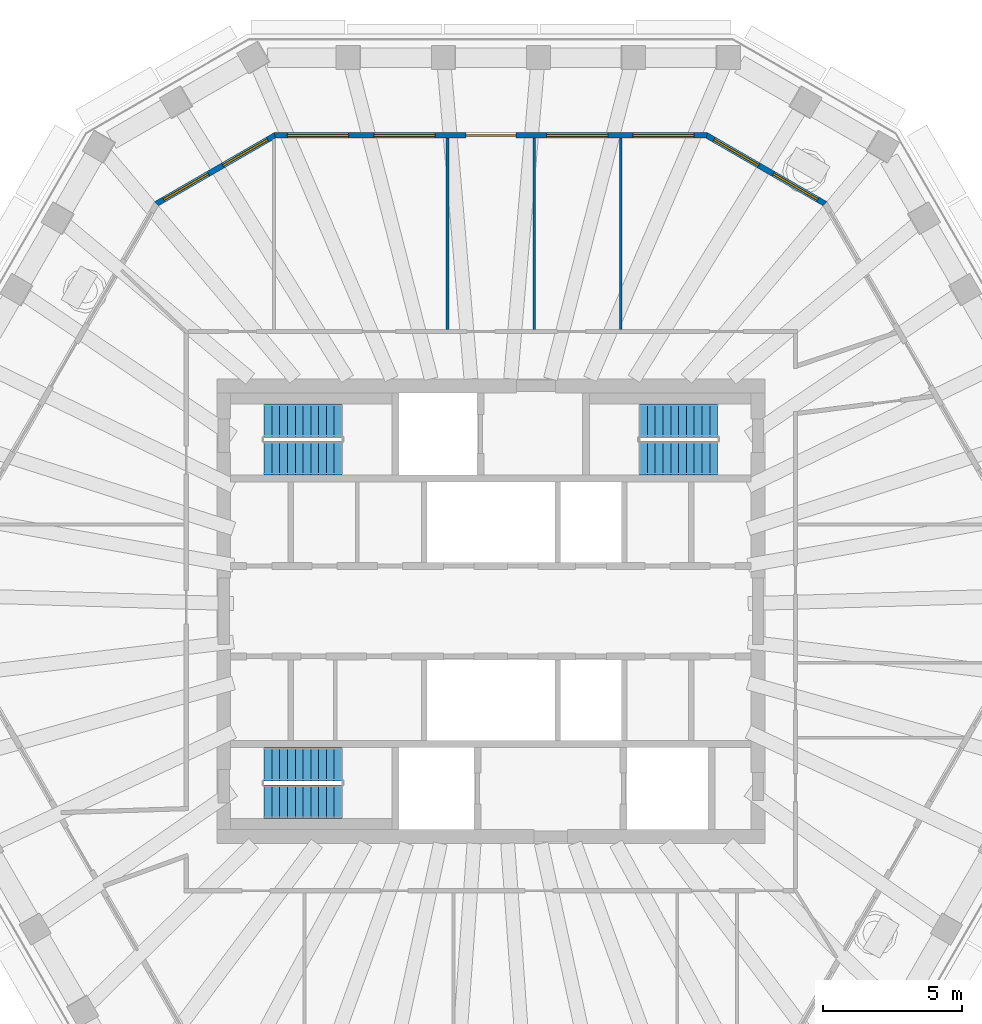
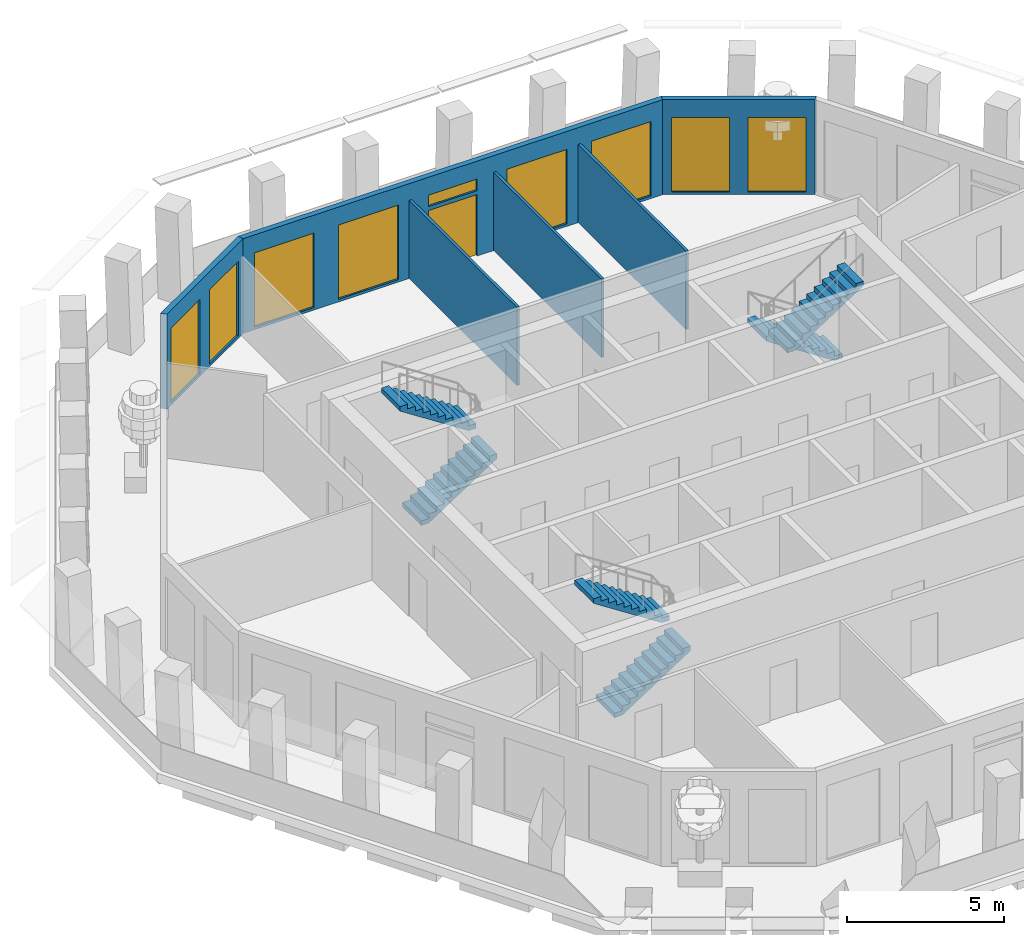
# One storey, part 7 of 11: 9 windows, 6 stair flights, 6 walls, 1 door, 10 openings, 3 elements without a shape of their own.
"""IFC4 building model written with IfcOpenShell, lengths in metres."""

from ifc_helpers import new_model, si_unit, direction, frame, frame_2d, origin, place, context, subcontext, project, spatial, polyline, rectangle, outline, extrude, material, layer, layer_set, type_object, element, fill, aggregate, save


model = new_model("IFC4")

# Units and contexts
model_context = context("Model", 3, precision=1e-05, world=origin(), true_north=direction((0.0, 1.0)))
body_context = subcontext(model_context, "Body", "Model", "MODEL_VIEW")
ifc_project = project(units=[si_unit("LENGTHUNIT", "METRE"), si_unit("AREAUNIT", "SQUARE_METRE"), si_unit("VOLUMEUNIT", "CUBIC_METRE"), si_unit("PLANEANGLEUNIT", "RADIAN"), si_unit("MASSUNIT", "GRAM", prefix="KILO")], contexts=[model_context])

# Site, building, storey
site_placement = place(None, origin())
site = spatial("IfcSite", under=ifc_project, at=site_placement, CompositionType="ELEMENT")
building_placement = place(site_placement, origin())
building = spatial("IfcBuilding", under=site, at=building_placement, Name="Frailejon Research Tower", CompositionType="ELEMENT")
storey_placement = place(building_placement, frame((0.0, 0.0, 328.60009765625)))
storey = spatial("IfcBuildingStorey", under=building, at=storey_placement, Name="L73", CompositionType="ELEMENT", Elevation=328.60009765625)

# Walls
ifc_material_1 = material(Name="Gypsum board and masonry partition", Category="masonry")
ifc_layer_1 = layer(ifc_material_1, 0.10009765625)
ifc_layer_set_1 = layer_set([ifc_layer_1], Name="Partition, gypsum on steel studs 100")
wall_type_1 = type_object("IfcWallType", Name="Partition, gypsum on steel studs 100", PredefinedType="PARTITIONING", material=ifc_layer_set_1)
for number, where, z_axis, x_axis, name in (
    (1, (4.673583984375, 10.125, 0.0), (0.0, 0.0, 1.0), (0.0, 1.0, 0.0), "T:IW:L73:014"),
    (2, (1.557861328125, 10.125, 0.0), (0.0, 0.0, 1.0), (0.0, 1.0, 0.0), "T:IW:L73:015"),
    (3, (-1.557861328125, 10.125, 0.0), (0.0, 0.0, 1.0), (0.0, 1.0, 0.0), "T:IW:L73:016"),
):
    element("IfcWall", number, at=place(storey_placement, frame(where, z_axis=z_axis, x_axis=x_axis)), inside=storey, type_object=wall_type_1, Name=name, PredefinedType="PARTITIONING", context=body_context, shape_type="SweptSolid", body=[
        extrude(rectangle(XDim=6.875, YDim=0.10009765625, at=frame_2d((3.4375, 0.0))), origin(), (0.0, 0.0, 1.0), 3.0498046875),
    ])

# Wall, openings, windows
ifc_material_2 = material(Name="Concrete C40/50 precast window wall panel", Category="concrete")
ifc_layer_2 = layer(ifc_material_2, 0.199951171875)
ifc_layer_set_2 = layer_set([ifc_layer_2], Name="Window wall 200")
wall_type_2 = type_object("IfcWallType", Name="Window wall 200", PredefinedType="SOLIDWALL", material=ifc_layer_set_2)
wall_1_placement = place(storey_placement, frame((12.016357421875, 14.644287109375, 0.0), z_axis=(0.0, 0.0, 1.0), x_axis=(-0.866029143232, 0.499993523031, 0.0)))
wall_1 = element("IfcWall", 4, at=wall_1_placement, inside=storey, type_object=wall_type_2, Name="Exterior wall L73", PredefinedType="SOLIDWALL", context=body_context, shape_type="SweptSolid", body=[
    extrude(outline(polyline([(-0.02685546875, -0.10009765625), (1.21435546875, -0.10009765625), (2.455810546875, -0.10009765625), (3.697265625, -0.10009765625), (4.9384765625, -0.10009765625), (4.884765625, 0.10009765625), (3.67041015625, 0.10009765625), (2.455810546875, 0.10009765625), (1.2412109375, 0.10009765625), (0.02685546875, 0.10009765625), (-0.02685546875, -0.10009765625)])), origin(), (0.0, 0.0, 1.0), 3.699951171875),
])
opening_1_placement = place(wall_1_placement, frame((0.302978515625, 0.0, 0.10009765625)))
opening_1 = element("IfcOpeningElement", 5, at=opening_1_placement, cuts=wall_1, Name="Opening W26", PredefinedType="OPENING", context=body_context, shape_type="SweptSolid", body=[
    extrude(rectangle(XDim=1.85009765625, YDim=2.89990234375, at=frame_2d((0.925048828125, 1.449951171875))), frame((0.0, 0.10986328125, 0.0), z_axis=(0.0, -1.0, 0.0), x_axis=(1.0, 0.0, 0.0)), (0.0, 0.0, 1.0), 0.219970703125),
])
opening_2_placement = place(wall_1_placement, frame((2.7587890625, 0.0, 0.10009765625)))
opening_2 = element("IfcOpeningElement", 6, at=opening_2_placement, cuts=wall_1, Name="Opening W26", PredefinedType="OPENING", context=body_context, shape_type="SweptSolid", body=[
    extrude(rectangle(XDim=1.85009765625, YDim=2.89990234375, at=frame_2d((0.925048828125, 1.449951171875))), frame((0.0, 0.10986328125, 0.0), z_axis=(0.0, -1.0, 0.0), x_axis=(1.0, 0.0, 0.0)), (0.0, 0.0, 1.0), 0.219970703125),
])
ifc_material_3 = material(Name="Aluminium framed double glazing", Category="aluminium")
window_type_1 = type_object("IfcWindowType", Name="Window 1850x2900", PartitioningType="SINGLE_PANEL", PredefinedType="WINDOW", material=ifc_material_3)
window_1_placement = place(opening_1_placement, origin())
window_1 = element("IfcWindow", 7, at=window_1_placement, inside=storey, type_object=window_type_1, Name="Window L73", OverallHeight=2.89990234375, OverallWidth=1.85009765625, PartitioningType="SINGLE_PANEL", PredefinedType="WINDOW", context=body_context, shape_type="SweptSolid", body=[
    extrude(rectangle(XDim=1.85009765625, YDim=2.89990234375, at=frame_2d((0.925048828125, 1.449951171875))), frame((0.0, 0.030029296875, 0.0), z_axis=(0.0, -1.0, 0.0), x_axis=(1.0, 0.0, 0.0)), (0.0, 0.0, 1.0), 0.06005859375),
])
fill(opening_1, window_1)
window_2_placement = place(opening_2_placement, origin())
window_2 = element("IfcWindow", 8, at=window_2_placement, inside=storey, type_object=window_type_1, Name="Window L73", OverallHeight=2.89990234375, OverallWidth=1.85009765625, PartitioningType="SINGLE_PANEL", PredefinedType="WINDOW", context=body_context, shape_type="SweptSolid", body=[
    extrude(rectangle(XDim=1.85009765625, YDim=2.89990234375, at=frame_2d((0.925048828125, 1.449951171875))), frame((0.0, 0.030029296875, 0.0), z_axis=(0.0, -1.0, 0.0), x_axis=(1.0, 0.0, 0.0)), (0.0, 0.0, 1.0), 0.06005859375),
])
fill(opening_2, window_2)

# Wall, openings, door, windows
wall_2_placement = place(storey_placement, frame((7.7626953125, 17.10009765625, 0.0), z_axis=(0.0, 0.0, 1.0), x_axis=(-1.0, 0.0, 0.0)))
wall_2 = element("IfcWall", 9, at=wall_2_placement, inside=storey, type_object=wall_type_2, Name="Exterior wall L73", PredefinedType="SOLIDWALL", context=body_context, shape_type="SweptSolid", body=[
    extrude(outline(polyline([(-0.02685546875, -0.10009765625), (1.01171875, -0.10009765625), (2.05029296875, -0.10009765625), (3.0888671875, -0.10009765625), (4.127685546875, -0.10009765625), (5.166259765625, -0.10009765625), (6.204833984375, -0.10009765625), (7.243408203125, -0.10009765625), (8.281982421875, -0.10009765625), (9.320556640625, -0.10009765625), (10.359130859375, -0.10009765625), (11.397705078125, -0.10009765625), (12.4365234375, -0.10009765625), (13.47509765625, -0.10009765625), (14.513671875, -0.10009765625), (15.55224609375, -0.10009765625), (15.49853515625, 0.10009765625), (14.467041015625, 0.10009765625), (13.435546875, 0.10009765625), (12.404296875, 0.10009765625), (11.372802734375, 0.10009765625), (10.34130859375, 0.10009765625), (9.309814453125, 0.10009765625), (8.2783203125, 0.10009765625), (7.2470703125, 0.10009765625), (6.215576171875, 0.10009765625), (5.18408203125, 0.10009765625), (4.152587890625, 0.10009765625), (3.12109375, 0.10009765625), (2.08984375, 0.10009765625), (1.058349609375, 0.10009765625), (0.02685546875, 0.10009765625), (-0.02685546875, -0.10009765625)])), origin(), (0.0, 0.0, 1.0), 3.699951171875),
])
opening_3_placement = place(wall_2_placement, frame((0.452392578125, 0.0, 0.10009765625)))
opening_3 = element("IfcOpeningElement", 10, at=opening_3_placement, cuts=wall_2, Name="Opening W28", PredefinedType="OPENING", context=body_context, shape_type="SweptSolid", body=[
    extrude(rectangle(XDim=2.199951171875, YDim=2.89990234375, at=frame_2d((1.10009765625, 1.449951171875))), frame((0.0, 0.10986328125, 0.0), z_axis=(0.0, -1.0, 0.0), x_axis=(1.0, 0.0, 0.0)), (0.0, 0.0, 1.0), 0.219970703125),
])
opening_4_placement = place(wall_2_placement, frame((3.5576171875, 0.0, 0.10009765625)))
opening_4 = element("IfcOpeningElement", 11, at=opening_4_placement, cuts=wall_2, Name="Opening W28", PredefinedType="OPENING", context=body_context, shape_type="SweptSolid", body=[
    extrude(rectangle(XDim=2.199951171875, YDim=2.89990234375, at=frame_2d((1.10009765625, 1.449951171875))), frame((0.0, 0.10986328125, 0.0), z_axis=(0.0, -1.0, 0.0), x_axis=(1.0, 0.0, 0.0)), (0.0, 0.0, 1.0), 0.219970703125),
])
opening_5_placement = place(wall_2_placement, frame((6.86279296875, 0.0, 0.0)))
opening_5 = element("IfcOpeningElement", 12, at=opening_5_placement, cuts=wall_2, Name="Opening LG73-2", PredefinedType="OPENING", context=body_context, shape_type="SweptSolid", body=[
    extrude(rectangle(XDim=1.800048828125, YDim=2.39990234375, at=frame_2d((0.89990234375, 1.199951171875))), frame((0.0, 0.10986328125, 0.0), z_axis=(0.0, -1.0, 0.0), x_axis=(1.0, 0.0, 0.0)), (0.0, 0.0, 1.0), 0.219970703125),
])
opening_6_placement = place(wall_2_placement, frame((6.86279296875, 0.0, 2.550048828125)))
opening_6 = element("IfcOpeningElement", 13, at=opening_6_placement, cuts=wall_2, Name="Opening W1", PredefinedType="OPENING", context=body_context, shape_type="SweptSolid", body=[
    extrude(rectangle(XDim=1.800048828125, YDim=0.449951171875, at=frame_2d((0.89990234375, 0.22509765625))), frame((0.0, 0.10986328125, 0.0), z_axis=(0.0, -1.0, 0.0), x_axis=(1.0, 0.0, 0.0)), (0.0, 0.0, 1.0), 0.219970703125),
])
opening_7_placement = place(wall_2_placement, frame((9.767822265625, 0.0, 0.10009765625)))
opening_7 = element("IfcOpeningElement", 14, at=opening_7_placement, cuts=wall_2, Name="Opening W28", PredefinedType="OPENING", context=body_context, shape_type="SweptSolid", body=[
    extrude(rectangle(XDim=2.199951171875, YDim=2.89990234375, at=frame_2d((1.10009765625, 1.449951171875))), frame((0.0, 0.10986328125, 0.0), z_axis=(0.0, -1.0, 0.0), x_axis=(1.0, 0.0, 0.0)), (0.0, 0.0, 1.0), 0.219970703125),
])
opening_8_placement = place(wall_2_placement, frame((12.872802734375, 0.0, 0.10009765625)))
opening_8 = element("IfcOpeningElement", 15, at=opening_8_placement, cuts=wall_2, Name="Opening W28", PredefinedType="OPENING", context=body_context, shape_type="SweptSolid", body=[
    extrude(rectangle(XDim=2.199951171875, YDim=2.89990234375, at=frame_2d((1.10009765625, 1.449951171875))), frame((0.0, 0.10986328125, 0.0), z_axis=(0.0, -1.0, 0.0), x_axis=(1.0, 0.0, 0.0)), (0.0, 0.0, 1.0), 0.219970703125),
])
ifc_material_4 = material(Name="Aluminium framed glazed door leaf", Category="aluminium")
door_type = type_object("IfcDoorType", Name="Loggia door 1800x2400", OperationType="DOUBLE_DOOR_SINGLE_SWING", PredefinedType="DOOR", material=ifc_material_4)
door_placement = place(opening_5_placement, origin())
door = element("IfcDoor", 16, at=door_placement, inside=storey, type_object=door_type, Name="Door LG73-2", OperationType="DOUBLE_DOOR_SINGLE_SWING", OverallHeight=2.39990234375, OverallWidth=1.800048828125, PredefinedType="DOOR", context=body_context, shape_type="SweptSolid", body=[
    extrude(rectangle(XDim=1.800048828125, YDim=2.39990234375, at=frame_2d((0.89990234375, 1.199951171875))), frame((0.0, 0.02490234375, 0.0), z_axis=(0.0, -1.0, 0.0), x_axis=(1.0, 0.0, 0.0)), (0.0, 0.0, 1.0), 0.050048828125),
])
fill(opening_5, door)
ifc_material_5 = material(Name="Aluminium framed double glazing", Category="aluminium")
window_type_2 = type_object("IfcWindowType", Name="Window 1800x450", PartitioningType="SINGLE_PANEL", PredefinedType="WINDOW", material=ifc_material_5)
window_3_placement = place(opening_6_placement, origin())
window_3 = element("IfcWindow", 17, at=window_3_placement, inside=storey, type_object=window_type_2, Name="Window L73", OverallHeight=0.449951171875, OverallWidth=1.800048828125, PartitioningType="SINGLE_PANEL", PredefinedType="WINDOW", context=body_context, shape_type="SweptSolid", body=[
    extrude(rectangle(XDim=1.800048828125, YDim=0.449951171875, at=frame_2d((0.89990234375, 0.22509765625))), frame((0.0, 0.030029296875, 0.0), z_axis=(0.0, -1.0, 0.0), x_axis=(1.0, 0.0, 0.0)), (0.0, 0.0, 1.0), 0.06005859375),
])
fill(opening_6, window_3)
ifc_material_6 = material(Name="Aluminium framed double glazing", Category="aluminium")
window_type_3 = type_object("IfcWindowType", Name="Window 2200x2900", PartitioningType="SINGLE_PANEL", PredefinedType="WINDOW", material=ifc_material_6)
window_4_placement = place(opening_3_placement, origin())
window_4 = element("IfcWindow", 18, at=window_4_placement, inside=storey, type_object=window_type_3, Name="Window L73", OverallHeight=2.89990234375, OverallWidth=2.199951171875, PartitioningType="SINGLE_PANEL", PredefinedType="WINDOW", context=body_context, shape_type="SweptSolid", body=[
    extrude(rectangle(XDim=2.199951171875, YDim=2.89990234375, at=frame_2d((1.10009765625, 1.449951171875))), frame((0.0, 0.030029296875, 0.0), z_axis=(0.0, -1.0, 0.0), x_axis=(1.0, 0.0, 0.0)), (0.0, 0.0, 1.0), 0.06005859375),
])
fill(opening_3, window_4)
window_5_placement = place(opening_4_placement, origin())
window_5 = element("IfcWindow", 19, at=window_5_placement, inside=storey, type_object=window_type_3, Name="Window L73", OverallHeight=2.89990234375, OverallWidth=2.199951171875, PartitioningType="SINGLE_PANEL", PredefinedType="WINDOW", context=body_context, shape_type="SweptSolid", body=[
    extrude(rectangle(XDim=2.199951171875, YDim=2.89990234375, at=frame_2d((1.10009765625, 1.449951171875))), frame((0.0, 0.030029296875, 0.0), z_axis=(0.0, -1.0, 0.0), x_axis=(1.0, 0.0, 0.0)), (0.0, 0.0, 1.0), 0.06005859375),
])
fill(opening_4, window_5)
window_6_placement = place(opening_7_placement, origin())
window_6 = element("IfcWindow", 20, at=window_6_placement, inside=storey, type_object=window_type_3, Name="Window L73", OverallHeight=2.89990234375, OverallWidth=2.199951171875, PartitioningType="SINGLE_PANEL", PredefinedType="WINDOW", context=body_context, shape_type="SweptSolid", body=[
    extrude(rectangle(XDim=2.199951171875, YDim=2.89990234375, at=frame_2d((1.10009765625, 1.449951171875))), frame((0.0, 0.030029296875, 0.0), z_axis=(0.0, -1.0, 0.0), x_axis=(1.0, 0.0, 0.0)), (0.0, 0.0, 1.0), 0.06005859375),
])
fill(opening_7, window_6)
window_7_placement = place(opening_8_placement, origin())
window_7 = element("IfcWindow", 21, at=window_7_placement, inside=storey, type_object=window_type_3, Name="Window L73", OverallHeight=2.89990234375, OverallWidth=2.199951171875, PartitioningType="SINGLE_PANEL", PredefinedType="WINDOW", context=body_context, shape_type="SweptSolid", body=[
    extrude(rectangle(XDim=2.199951171875, YDim=2.89990234375, at=frame_2d((1.10009765625, 1.449951171875))), frame((0.0, 0.030029296875, 0.0), z_axis=(0.0, -1.0, 0.0), x_axis=(1.0, 0.0, 0.0)), (0.0, 0.0, 1.0), 0.06005859375),
])
fill(opening_8, window_7)

# Wall, openings, windows
wall_3_placement = place(storey_placement, frame((-7.7626953125, 17.10009765625, 0.0), z_axis=(0.0, 0.0, 1.0), x_axis=(-0.866029143232, -0.499993523031, 0.0)))
wall_3 = element("IfcWall", 22, at=wall_3_placement, inside=storey, type_object=wall_type_2, Name="Exterior wall L73", PredefinedType="SOLIDWALL", context=body_context, shape_type="SweptSolid", body=[
    extrude(outline(polyline([(-0.02685546875, -0.10009765625), (1.21435546875, -0.10009765625), (2.455810546875, -0.10009765625), (3.697265625, -0.10009765625), (4.9384765625, -0.10009765625), (4.884765625, 0.10009765625), (3.67041015625, 0.10009765625), (2.455810546875, 0.10009765625), (1.2412109375, 0.10009765625), (0.02685546875, 0.10009765625), (-0.02685546875, -0.10009765625)])), origin(), (0.0, 0.0, 1.0), 3.699951171875),
])
opening_9_placement = place(wall_3_placement, frame((0.302978515625, 0.0, 0.10009765625)))
opening_9 = element("IfcOpeningElement", 23, at=opening_9_placement, cuts=wall_3, Name="Opening W26", PredefinedType="OPENING", context=body_context, shape_type="SweptSolid", body=[
    extrude(rectangle(XDim=1.85009765625, YDim=2.89990234375, at=frame_2d((0.925048828125, 1.449951171875))), frame((0.0, 0.10986328125, 0.0), z_axis=(0.0, -1.0, 0.0), x_axis=(1.0, 0.0, 0.0)), (0.0, 0.0, 1.0), 0.219970703125),
])
opening_10_placement = place(wall_3_placement, frame((2.7587890625, 0.0, 0.10009765625)))
opening_10 = element("IfcOpeningElement", 24, at=opening_10_placement, cuts=wall_3, Name="Opening W26", PredefinedType="OPENING", context=body_context, shape_type="SweptSolid", body=[
    extrude(rectangle(XDim=1.85009765625, YDim=2.89990234375, at=frame_2d((0.925048828125, 1.449951171875))), frame((0.0, 0.10986328125, 0.0), z_axis=(0.0, -1.0, 0.0), x_axis=(1.0, 0.0, 0.0)), (0.0, 0.0, 1.0), 0.219970703125),
])
window_8_placement = place(opening_9_placement, origin())
window_8 = element("IfcWindow", 25, at=window_8_placement, inside=storey, type_object=window_type_1, Name="Window L73", OverallHeight=2.89990234375, OverallWidth=1.85009765625, PartitioningType="SINGLE_PANEL", PredefinedType="WINDOW", context=body_context, shape_type="SweptSolid", body=[
    extrude(rectangle(XDim=1.85009765625, YDim=2.89990234375, at=frame_2d((0.925048828125, 1.449951171875))), frame((0.0, 0.030029296875, 0.0), z_axis=(0.0, -1.0, 0.0), x_axis=(1.0, 0.0, 0.0)), (0.0, 0.0, 1.0), 0.06005859375),
])
fill(opening_9, window_8)
window_9_placement = place(opening_10_placement, origin())
window_9 = element("IfcWindow", 26, at=window_9_placement, inside=storey, type_object=window_type_1, Name="Window L73", OverallHeight=2.89990234375, OverallWidth=1.85009765625, PartitioningType="SINGLE_PANEL", PredefinedType="WINDOW", context=body_context, shape_type="SweptSolid", body=[
    extrude(rectangle(XDim=1.85009765625, YDim=2.89990234375, at=frame_2d((0.925048828125, 1.449951171875))), frame((0.0, 0.030029296875, 0.0), z_axis=(0.0, -1.0, 0.0), x_axis=(1.0, 0.0, 0.0)), (0.0, 0.0, 1.0), 0.06005859375),
])
fill(opening_10, window_9)

# Stair, stair flights
ifc_material_7 = material(Name="Concrete C50/60", Category="concrete")
stair_type = type_object("IfcStairType", Name="Exit stair 22 risers", PredefinedType="HALF_TURN_STAIR", material=ifc_material_7)
stair_1_placement = place(storey_placement, origin())
stair_1 = element("IfcStair", 27, at=stair_1_placement, inside=storey, type_object=stair_type, Name="L73 Exit stair ST1", PredefinedType="HALF_TURN_STAIR")
ifc_material_8 = material(Name="Concrete C50/60", Category="concrete")
ifc_layer_3 = layer(ifc_material_8, 0.14990234375)
ifc_layer_set_3 = layer_set([ifc_layer_3], Name="Stair flight 11 risers")
stair_flight_type = type_object("IfcStairFlightType", Name="Stair flight 11 risers", PredefinedType="STRAIGHT", material=ifc_layer_set_3)
stair_flight_1_placement = place(storey_placement, frame((-8.14990234375, 5.5, 0.0), z_axis=(0.0, 0.0, 1.0), x_axis=(1.0, 0.0, 0.0)))
stair_flight_1 = element("IfcStairFlight", 28, at=stair_flight_1_placement, type_object=stair_flight_type, Name="ST1 flight 1", NumberOfRisers=11, NumberOfTreads=10, PredefinedType="STRAIGHT", RiserHeight=0.181818182, TreadLength=0.28, context=body_context, shape_type="SweptSolid", body=[
    extrude(outline(polyline([(0.0, 0.0), (0.0, 0.181884765625), (0.280029296875, 0.181884765625), (0.280029296875, 0.363525390625), (0.56005859375, 0.363525390625), (0.56005859375, 0.54541015625), (0.840087890625, 0.54541015625), (0.840087890625, 0.727294921875), (1.1201171875, 0.727294921875), (1.1201171875, 0.9091796875), (1.39990234375, 0.9091796875), (1.39990234375, 1.0908203125), (1.679931640625, 1.0908203125), (1.679931640625, 1.272705078125), (1.9599609375, 1.272705078125), (1.9599609375, 1.45458984375), (2.239990234375, 1.45458984375), (2.239990234375, 1.636474609375), (2.52001953125, 1.636474609375), (2.52001953125, 1.818115234375), (2.800048828125, 1.818115234375), (2.800048828125, 2.0), (2.800048828125, 1.639404296875), (0.275146484375, 0.0), (0.0, 0.0)])), frame((0.0, 0.60009765625, 0.0), z_axis=(0.0, -1.0, 0.0), x_axis=(1.0, 0.0, 0.0)), (0.0, 0.0, 1.0), 1.199951171875),
])
stair_flight_2_placement = place(storey_placement, frame((-5.35009765625, 6.85009765625, 2.0), z_axis=(0.0, 0.0, 1.0), x_axis=(-1.0, 0.0, 0.0)))
stair_flight_2 = element("IfcStairFlight", 29, at=stair_flight_2_placement, type_object=stair_flight_type, Name="ST1 flight 2", NumberOfRisers=11, NumberOfTreads=10, PredefinedType="STRAIGHT", RiserHeight=0.181818182, TreadLength=0.28, context=body_context, shape_type="SweptSolid", body=[
    extrude(outline(polyline([(0.0, 0.0), (0.0, 0.181884765625), (0.280029296875, 0.181884765625), (0.280029296875, 0.363525390625), (0.56005859375, 0.363525390625), (0.56005859375, 0.54541015625), (0.840087890625, 0.54541015625), (0.840087890625, 0.727294921875), (1.1201171875, 0.727294921875), (1.1201171875, 0.9091796875), (1.39990234375, 0.9091796875), (1.39990234375, 1.0908203125), (1.679931640625, 1.0908203125), (1.679931640625, 1.272705078125), (1.9599609375, 1.272705078125), (1.9599609375, 1.45458984375), (2.239990234375, 1.45458984375), (2.239990234375, 1.636474609375), (2.52001953125, 1.636474609375), (2.52001953125, 1.818115234375), (2.800048828125, 1.818115234375), (2.800048828125, 2.0), (2.800048828125, 1.639404296875), (0.275146484375, 0.0), (0.0, 0.0)])), frame((0.0, 0.60009765625, 0.0), z_axis=(0.0, -1.0, 0.0), x_axis=(1.0, 0.0, 0.0)), (0.0, 0.0, 1.0), 1.199951171875),
])
aggregate(stair_1, [stair_flight_1, stair_flight_2])

stair_2_placement = place(storey_placement, origin())
stair_2 = element("IfcStair", 30, at=stair_2_placement, inside=storey, type_object=stair_type, Name="L73 Exit stair ST2", PredefinedType="HALF_TURN_STAIR")
stair_flight_3_placement = place(storey_placement, frame((-8.14990234375, -6.85009765625, 0.0), z_axis=(0.0, 0.0, 1.0), x_axis=(1.0, 0.0, 0.0)))
stair_flight_3 = element("IfcStairFlight", 31, at=stair_flight_3_placement, type_object=stair_flight_type, Name="ST2 flight 1", NumberOfRisers=11, NumberOfTreads=10, PredefinedType="STRAIGHT", RiserHeight=0.181818182, TreadLength=0.28, context=body_context, shape_type="SweptSolid", body=[
    extrude(outline(polyline([(0.0, 0.0), (0.0, 0.181884765625), (0.280029296875, 0.181884765625), (0.280029296875, 0.363525390625), (0.56005859375, 0.363525390625), (0.56005859375, 0.54541015625), (0.840087890625, 0.54541015625), (0.840087890625, 0.727294921875), (1.1201171875, 0.727294921875), (1.1201171875, 0.9091796875), (1.39990234375, 0.9091796875), (1.39990234375, 1.0908203125), (1.679931640625, 1.0908203125), (1.679931640625, 1.272705078125), (1.9599609375, 1.272705078125), (1.9599609375, 1.45458984375), (2.239990234375, 1.45458984375), (2.239990234375, 1.636474609375), (2.52001953125, 1.636474609375), (2.52001953125, 1.818115234375), (2.800048828125, 1.818115234375), (2.800048828125, 2.0), (2.800048828125, 1.639404296875), (0.275146484375, 0.0), (0.0, 0.0)])), frame((0.0, 0.60009765625, 0.0), z_axis=(0.0, -1.0, 0.0), x_axis=(1.0, 0.0, 0.0)), (0.0, 0.0, 1.0), 1.199951171875),
])
stair_flight_4_placement = place(storey_placement, frame((-5.35009765625, -5.5, 2.0), z_axis=(0.0, 0.0, 1.0), x_axis=(-1.0, 0.0, 0.0)))
stair_flight_4 = element("IfcStairFlight", 32, at=stair_flight_4_placement, type_object=stair_flight_type, Name="ST2 flight 2", NumberOfRisers=11, NumberOfTreads=10, PredefinedType="STRAIGHT", RiserHeight=0.181818182, TreadLength=0.28, context=body_context, shape_type="SweptSolid", body=[
    extrude(outline(polyline([(0.0, 0.0), (0.0, 0.181884765625), (0.280029296875, 0.181884765625), (0.280029296875, 0.363525390625), (0.56005859375, 0.363525390625), (0.56005859375, 0.54541015625), (0.840087890625, 0.54541015625), (0.840087890625, 0.727294921875), (1.1201171875, 0.727294921875), (1.1201171875, 0.9091796875), (1.39990234375, 0.9091796875), (1.39990234375, 1.0908203125), (1.679931640625, 1.0908203125), (1.679931640625, 1.272705078125), (1.9599609375, 1.272705078125), (1.9599609375, 1.45458984375), (2.239990234375, 1.45458984375), (2.239990234375, 1.636474609375), (2.52001953125, 1.636474609375), (2.52001953125, 1.818115234375), (2.800048828125, 1.818115234375), (2.800048828125, 2.0), (2.800048828125, 1.639404296875), (0.275146484375, 0.0), (0.0, 0.0)])), frame((0.0, 0.60009765625, 0.0), z_axis=(0.0, -1.0, 0.0), x_axis=(1.0, 0.0, 0.0)), (0.0, 0.0, 1.0), 1.199951171875),
])
aggregate(stair_2, [stair_flight_3, stair_flight_4])

stair_3_placement = place(storey_placement, origin())
stair_3 = element("IfcStair", 33, at=stair_3_placement, inside=storey, type_object=stair_type, Name="L73 Exit stair ST3", PredefinedType="HALF_TURN_STAIR")
stair_flight_5_placement = place(storey_placement, frame((8.14990234375, 6.85009765625, 0.0), z_axis=(0.0, 0.0, 1.0), x_axis=(-1.0, 0.0, 0.0)))
stair_flight_5 = element("IfcStairFlight", 34, at=stair_flight_5_placement, type_object=stair_flight_type, Name="ST3 flight 1", NumberOfRisers=11, NumberOfTreads=10, PredefinedType="STRAIGHT", RiserHeight=0.181818182, TreadLength=0.28, context=body_context, shape_type="SweptSolid", body=[
    extrude(outline(polyline([(0.0, 0.0), (0.0, 0.181884765625), (0.280029296875, 0.181884765625), (0.280029296875, 0.363525390625), (0.56005859375, 0.363525390625), (0.56005859375, 0.54541015625), (0.840087890625, 0.54541015625), (0.840087890625, 0.727294921875), (1.1201171875, 0.727294921875), (1.1201171875, 0.9091796875), (1.39990234375, 0.9091796875), (1.39990234375, 1.0908203125), (1.679931640625, 1.0908203125), (1.679931640625, 1.272705078125), (1.9599609375, 1.272705078125), (1.9599609375, 1.45458984375), (2.239990234375, 1.45458984375), (2.239990234375, 1.636474609375), (2.52001953125, 1.636474609375), (2.52001953125, 1.818115234375), (2.800048828125, 1.818115234375), (2.800048828125, 2.0), (2.800048828125, 1.639404296875), (0.275146484375, 0.0), (0.0, 0.0)])), frame((0.0, 0.60009765625, 0.0), z_axis=(0.0, -1.0, 0.0), x_axis=(1.0, 0.0, 0.0)), (0.0, 0.0, 1.0), 1.199951171875),
])
stair_flight_6_placement = place(storey_placement, frame((5.35009765625, 5.5, 2.0), z_axis=(0.0, 0.0, 1.0), x_axis=(1.0, 0.0, 0.0)))
stair_flight_6 = element("IfcStairFlight", 35, at=stair_flight_6_placement, type_object=stair_flight_type, Name="ST3 flight 2", NumberOfRisers=11, NumberOfTreads=10, PredefinedType="STRAIGHT", RiserHeight=0.181818182, TreadLength=0.28, context=body_context, shape_type="SweptSolid", body=[
    extrude(outline(polyline([(0.0, 0.0), (0.0, 0.181884765625), (0.280029296875, 0.181884765625), (0.280029296875, 0.363525390625), (0.56005859375, 0.363525390625), (0.56005859375, 0.54541015625), (0.840087890625, 0.54541015625), (0.840087890625, 0.727294921875), (1.1201171875, 0.727294921875), (1.1201171875, 0.9091796875), (1.39990234375, 0.9091796875), (1.39990234375, 1.0908203125), (1.679931640625, 1.0908203125), (1.679931640625, 1.272705078125), (1.9599609375, 1.272705078125), (1.9599609375, 1.45458984375), (2.239990234375, 1.45458984375), (2.239990234375, 1.636474609375), (2.52001953125, 1.636474609375), (2.52001953125, 1.818115234375), (2.800048828125, 1.818115234375), (2.800048828125, 2.0), (2.800048828125, 1.639404296875), (0.275146484375, 0.0), (0.0, 0.0)])), frame((0.0, 0.60009765625, 0.0), z_axis=(0.0, -1.0, 0.0), x_axis=(1.0, 0.0, 0.0)), (0.0, 0.0, 1.0), 1.199951171875),
])
aggregate(stair_3, [stair_flight_5, stair_flight_6])

save(model, "model.ifc")
